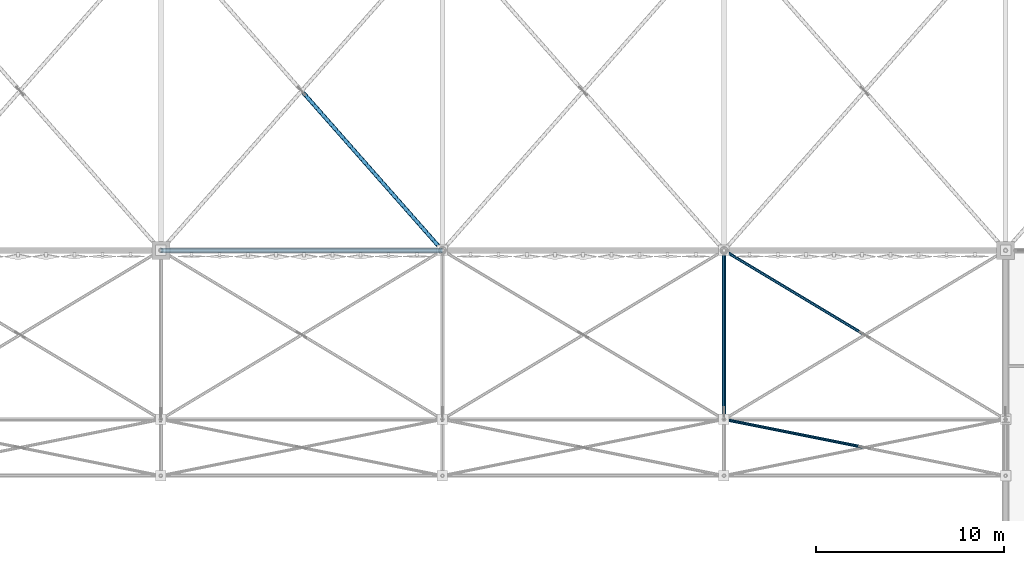
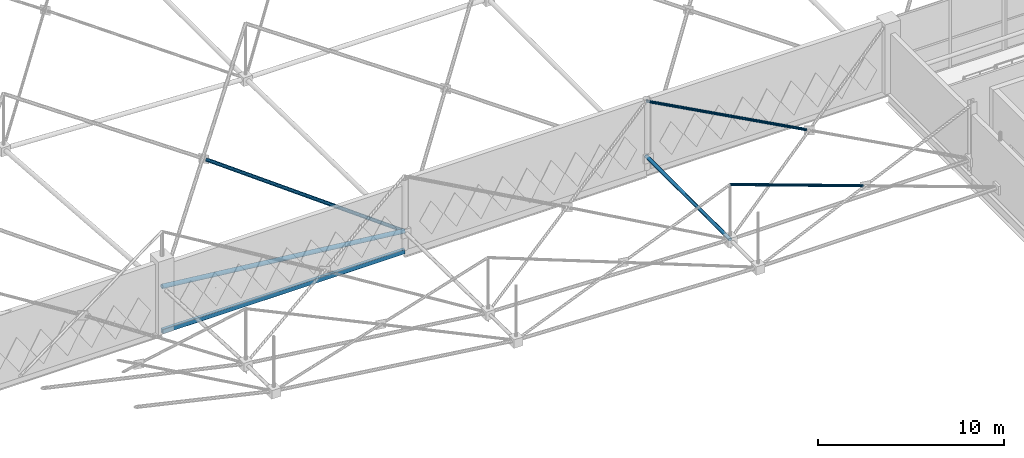
# One storey, part 27 of 224: 5 members, 1 beam.
"""IFC4 building model written with IfcOpenShell, lengths in metres."""

from ifc_helpers import new_model, si_unit, direction, frame, origin, origin_2d, place, context, subcontext, project, spatial, hollow_rectangle, hollow_circle, extrude, material, material_profile, profile_set, type_object, element, save


model = new_model("IFC4")

# Units and contexts
model_context = context("Model", 3, precision=1e-05, world=origin(), true_north=direction((0.0, 1.0)))
body_context = subcontext(model_context, "Body", "Model", "MODEL_VIEW")
ifc_project = project(units=[si_unit("LENGTHUNIT", "METRE"), si_unit("AREAUNIT", "SQUARE_METRE"), si_unit("VOLUMEUNIT", "CUBIC_METRE"), si_unit("PLANEANGLEUNIT", "RADIAN"), si_unit("MASSUNIT", "GRAM", prefix="KILO")], contexts=[model_context])

# Site, building, storey
site_placement = place(None, origin())
site = spatial("IfcSite", under=ifc_project, at=site_placement, CompositionType="ELEMENT")
building_placement = place(site_placement, origin())
building = spatial("IfcBuilding", under=site, at=building_placement, Name="Qamarlyn Nura Convention Centre", CompositionType="ELEMENT")
storey_placement = place(building_placement, frame((0.0, 0.0, 10.800048828125)))
storey = spatial("IfcBuildingStorey", under=building, at=storey_placement, Name="L02", CompositionType="ELEMENT", Elevation=10.800048828125)

# Beam
ifc_material_1 = material(Name="Steel ASTM A500 Grade C", Category="steel")
ifc_material_profile_1 = material_profile(ifc_material_1, hollow_rectangle(XDim=0.199951171875, YDim=0.300048828125, WallThickness=0.012451171875, InnerFilletRadius=0.012451171875, OuterFilletRadius=0.02490234375, at=origin_2d()), Name="HSS300X200X12.5")
ifc_profile_set_1 = profile_set([ifc_material_profile_1], Name="Steel ASTM A500 Grade C")
beam_type = type_object("IfcBeamType", Name="BM-SPAN-HSS", PredefinedType="SPANDREL", material=ifc_profile_set_1)
beam_placement = place(storey_placement, frame((15.0, 18.0, -0.150146484375), z_axis=(1.0, 0.0, 0.0), x_axis=(0.0, 1.0, 0.0)))
element("IfcBeam", 1, at=beam_placement, inside=storey, type_object=beam_type, Name="L02 girder C 2-3", PredefinedType="SPANDREL", context=body_context, shape_type="SweptSolid", body=[
    extrude(hollow_rectangle(XDim=0.199951171875, YDim=0.300048828125, WallThickness=0.012451171875, InnerFilletRadius=0.012451171875, OuterFilletRadius=0.02490234375, at=origin_2d()), origin(), (0.0, 0.0, 1.0), 15.0),
])

# Members
ifc_material_2 = material(Name="Pearl-white PVDF steel ASTM A500 Grade C", Category="steel")
ifc_material_profile_2 = material_profile(ifc_material_2, hollow_circle(Radius=0.109619140625, WallThickness=0.010009765625, at=origin_2d()), Name="CHS219.1X10")
ifc_profile_set_2 = profile_set([ifc_material_profile_2], Name="Pearl-white PVDF steel ASTM A500 Grade C")
member_type_1 = type_object("IfcMemberType", Name="SF-BC-EAVE", PredefinedType="CHORD", material=ifc_profile_set_2)
member_1_placement = place(storey_placement, frame((45.0, 9.0, 0.800048828125), z_axis=(0.0, 1.0, 0.0), x_axis=(-1.0, 0.0, 0.0)))
element("IfcMember", 2, at=member_1_placement, inside=storey, type_object=member_type_1, Name="ROOF TRUSS space frame bottom chord Y5-1", PredefinedType="CHORD", context=body_context, shape_type="SweptSolid", body=[
    extrude(hollow_circle(Radius=0.109619140625, WallThickness=0.010009765625, at=origin_2d()), origin(), (0.0, 0.0, 1.0), 9.0),
])
ifc_material_profile_3 = material_profile(ifc_material_2, hollow_circle(Radius=0.136474609375, WallThickness=0.012451171875, at=origin_2d()), Name="CHS273X12.5")
ifc_profile_set_3 = profile_set([ifc_material_profile_3], Name="Pearl-white PVDF steel ASTM A500 Grade C")
member_type_2 = type_object("IfcMemberType", Name="SF-BC-MAIN", PredefinedType="CHORD", material=ifc_profile_set_3)
member_2_placement = place(storey_placement, frame((15.0, 18.0, 2.7685546875), z_axis=(0.994233236625, 0.0, -0.107239317368), x_axis=(0.0, 1.0, 0.0)))
element("IfcMember", 3, at=member_2_placement, inside=storey, type_object=member_type_2, Name="ROOF TRUSS space frame bottom chord X3-2", PredefinedType="CHORD", context=body_context, shape_type="SweptSolid", body=[
    extrude(hollow_circle(Radius=0.136474609375, WallThickness=0.012451171875, at=origin_2d()), origin(), (0.0, 0.0, 1.0), 15.0869140625),
])
ifc_material_profile_4 = material_profile(ifc_material_2, hollow_circle(Radius=0.109619140625, WallThickness=0.010009765625, at=origin_2d()), Name="CHS219.1X10")
ifc_profile_set_4 = profile_set([ifc_material_profile_4], Name="Pearl-white PVDF steel ASTM A500 Grade C")
member_type_3 = type_object("IfcMemberType", Name="SF-WEB-HVY", PredefinedType="BRACE", material=ifc_profile_set_4)
member_3_placement = place(storey_placement, frame((30.0, 18.0, 1.150634765625), z_axis=(-0.649401997113, 0.735986076739, 0.191315292104), x_axis=(-0.749836582836, -0.661623079284, 0.0)))
element("IfcMember", 4, at=member_3_placement, inside=storey, type_object=member_type_3, Name="ROOF TRUSS space frame split diagonal B1 3-2", PredefinedType="BRACE", context=body_context, shape_type="SweptSolid", body=[
    extrude(hollow_circle(Radius=0.109619140625, WallThickness=0.010009765625, at=origin_2d()), origin(), (0.0, 0.0, 1.0), 11.408447265625),
])
ifc_material_profile_5 = material_profile(ifc_material_2, hollow_circle(Radius=0.084228515625, WallThickness=0.008056640625, at=origin_2d()), Name="CHS168.3X8")
ifc_profile_set_5 = profile_set([ifc_material_profile_5], Name="Pearl-white PVDF steel ASTM A500 Grade C")
member_type_4 = type_object("IfcMemberType", Name="SF-WEB-STD", PredefinedType="BRACE", material=ifc_profile_set_5)
member_4_placement = place(storey_placement, frame((52.366455078125, 7.526611328125, 2.632080078125), z_axis=(-0.954505726398, 0.190913799053, 0.229064924431), x_axis=(-0.196128634557, -0.980578175724, 0.0)))
element("IfcMember", 5, at=member_4_placement, inside=storey, type_object=member_type_4, Name="ROOF TRUSS space frame split diagonal B2 5-0", PredefinedType="BRACE", context=body_context, shape_type="SweptSolid", body=[
    extrude(hollow_circle(Radius=0.084228515625, WallThickness=0.008056640625, at=origin_2d()), origin(), (0.0, 0.0, 1.0), 7.717529296875),
])
member_5_placement = place(storey_placement, frame((52.38232421875, 13.570556640625, 2.628173828125), z_axis=(-0.839889638897, 0.503939338531, 0.201570180219), x_axis=(-0.514499925721, -0.857490423522, 0.0)))
element("IfcMember", 6, at=member_5_placement, inside=storey, type_object=member_type_4, Name="ROOF TRUSS space frame split diagonal B2 5-1", PredefinedType="BRACE", context=body_context, shape_type="SweptSolid", body=[
    extrude(hollow_circle(Radius=0.084228515625, WallThickness=0.008056640625, at=origin_2d()), origin(), (0.0, 0.0, 1.0), 8.78955078125),
])

save(model, "model.ifc")
